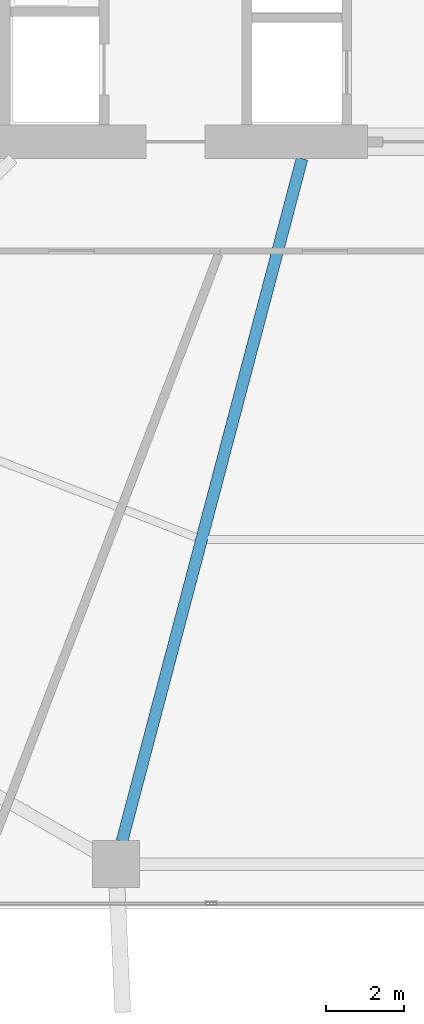
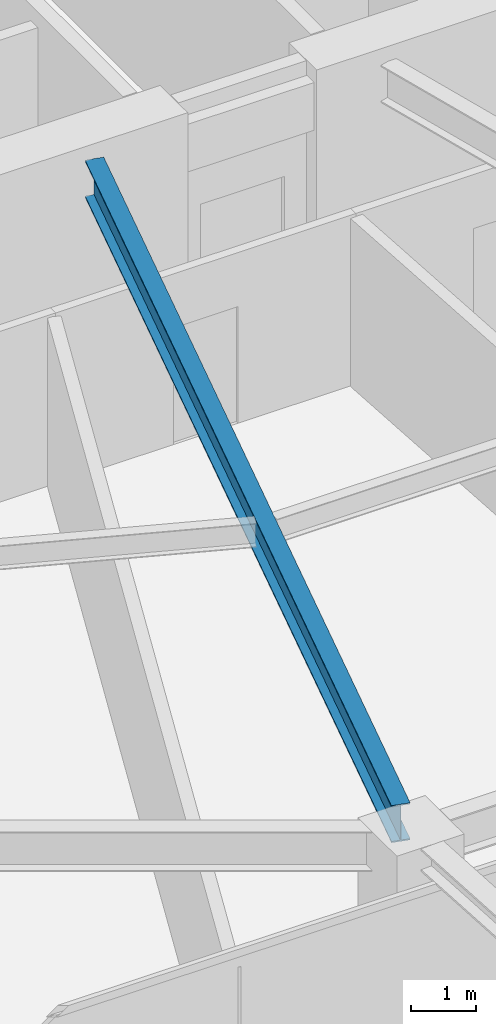
# One storey, part 4 of 27: 1 beam.
"""IFC4 building model written with IfcOpenShell, lengths in metres."""

from ifc_helpers import new_model, si_unit, direction, frame, origin, origin_2d, place, context, subcontext, project, spatial, i_section, extrude, material, material_profile, profile_set, type_object, element, save


model = new_model("IFC4")

# Units and contexts
model_context = context("Model", 3, precision=1e-05, world=origin(), true_north=direction((0.0, 1.0)))
body_context = subcontext(model_context, "Body", "Model", "MODEL_VIEW")
ifc_project = project(units=[si_unit("LENGTHUNIT", "METRE"), si_unit("AREAUNIT", "SQUARE_METRE"), si_unit("VOLUMEUNIT", "CUBIC_METRE"), si_unit("PLANEANGLEUNIT", "RADIAN"), si_unit("MASSUNIT", "GRAM", prefix="KILO")], contexts=[model_context])

# Site, building, storey
site_placement = place(None, origin())
site = spatial("IfcSite", under=ifc_project, at=site_placement, CompositionType="ELEMENT")
building_placement = place(site_placement, origin())
building = spatial("IfcBuilding", under=site, at=building_placement, Name="Zuhravey Tower", CompositionType="ELEMENT")
storey_placement = place(building_placement, frame((0.0, 0.0, 12.0)))
storey = spatial("IfcBuildingStorey", under=building, at=storey_placement, Name="L03", CompositionType="ELEMENT", Elevation=12.0)

# Beam
ifc_material = material(Name="Steel SM355", Category="steel")
ifc_material_profile = material_profile(ifc_material, i_section(OverallWidth=0.300048828125, OverallDepth=0.699951171875, WebThickness=0.012939453125, FlangeThickness=0.02392578125, at=origin_2d()), Name="H-700x300x13x24")
ifc_profile_set = profile_set([ifc_material_profile], Name="Steel SM355")
beam_type = type_object("IfcBeamType", Name="Radial Primary Girder H700x300", PredefinedType="BEAM", material=ifc_profile_set)
beam_placement = place(storey_placement, frame((33.382080078125, 22.072021484375, 3.570068359375), z_axis=(-0.254989720435, -0.966943763862, 0.0), x_axis=(0.966943763862, -0.254989720435, 0.0)))
element("IfcBeam", 1, at=beam_placement, inside=storey, type_object=beam_type, Name="L03 RG1 BM-L03-RAD-09", PredefinedType="BEAM", context=body_context, shape_type="SweptSolid", body=[
    extrude(i_section(OverallWidth=0.300048828125, OverallDepth=0.699951171875, WebThickness=0.012939453125, FlangeThickness=0.02392578125, at=origin_2d()), origin(), (0.0, 0.0, 1.0), 18.03369140625),
])

save(model, "model.ifc")
